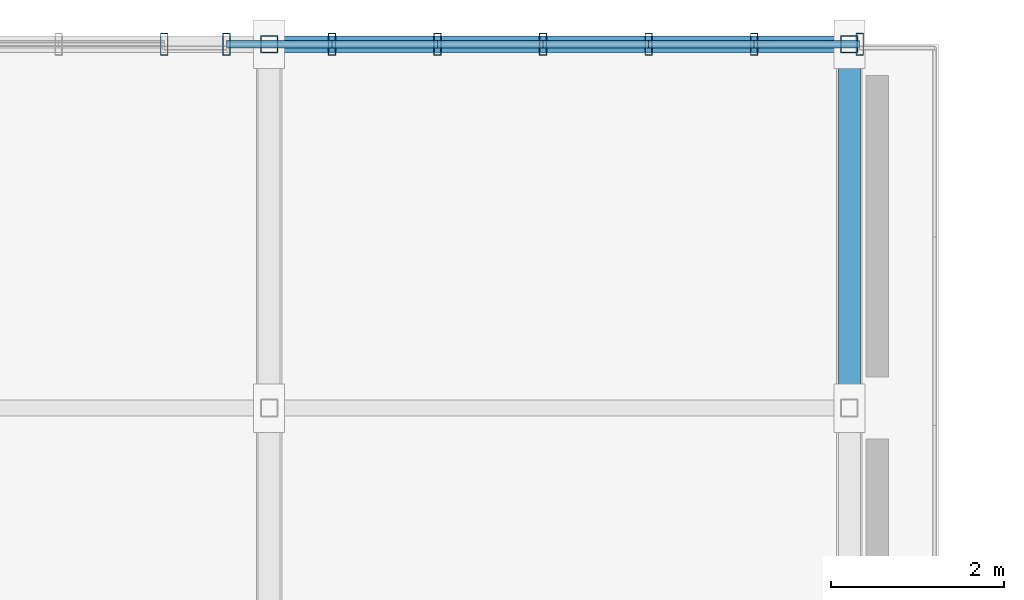
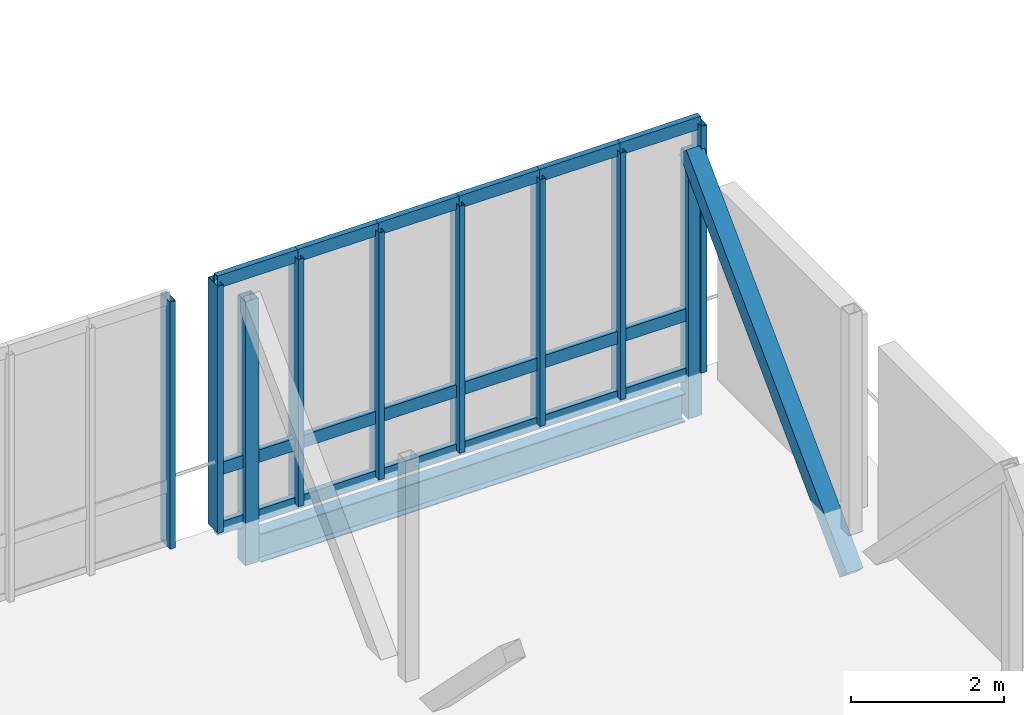
# One storey, part 59 of 107: 29 members, 1 beam, 2 elements without a shape of their own.
"""IFC4 building model written with IfcOpenShell, lengths in metres."""

from ifc_helpers import new_model, si_unit, derived_unit, direction, frame, origin, origin_2d, place, context, subcontext, project, spatial, hollow_rectangle, i_section, extrude, material, layer, layer_set, material_profile, profile_set, type_object, element, aggregate, save


model = new_model("IFC4")

# Units and contexts
model_context = context("Model", 3, precision=1e-05, world=origin(), true_north=direction((0.0, 1.0)))
body_context = subcontext(model_context, "Body", "Model", "MODEL_VIEW")
ifc_project = project(units=[si_unit("LENGTHUNIT", "METRE"), si_unit("AREAUNIT", "SQUARE_METRE"), si_unit("VOLUMEUNIT", "CUBIC_METRE"), si_unit("PLANEANGLEUNIT", "RADIAN"), si_unit("MASSUNIT", "GRAM", prefix="KILO"), derived_unit("THERMALTRANSMITTANCEUNIT", [(si_unit("MASSUNIT", "GRAM", prefix="KILO"), 1), (si_unit("TIMEUNIT", "SECOND"), -3), (si_unit("THERMODYNAMICTEMPERATUREUNIT", "KELVIN"), -1)])], contexts=[model_context])

# Site, building, storey
site_placement = place(None, origin())
site = spatial("IfcSite", under=ifc_project, at=site_placement, CompositionType="ELEMENT")
building_placement = place(site_placement, origin())
building = spatial("IfcBuilding", under=site, at=building_placement, Name="Makaiwela Harbour Ferry Terminal", CompositionType="ELEMENT")
storey_placement = place(building_placement, frame((0.0, 0.0, 9.60009765625)))
storey = spatial("IfcBuildingStorey", under=building, at=storey_placement, Name="L02", CompositionType="ELEMENT", Elevation=9.60009765625)

# Curtain wall, member
ifc_material_1 = material(Name="Marine anodised aluminium 6063-T6", Category="aluminium")
ifc_layer = layer(ifc_material_1, 0.199951171875)
ifc_layer_set = layer_set([ifc_layer], Name="Marine anodised aluminium 6063-T6")
curtain_wall_type = type_object("IfcCurtainWallType", Name="ENV-CW-21", PredefinedType="USERDEFINED", material=ifc_layer_set)
curtain_wall_1_placement = place(storey_placement, origin())
curtain_wall_1 = element("IfcCurtainWall", 1, at=curtain_wall_1_placement, inside=storey, type_object=curtain_wall_type, Name="Unitised Curtain Wall CWA-134", ObjectType="UNITIZED CURTAIN WALL", PredefinedType="USERDEFINED")
ifc_material_profile_1 = material_profile(ifc_material_1, hollow_rectangle(XDim=0.0849609375, YDim=0.25, WallThickness=0.0048828125, at=origin_2d()), Name="CWM-250X85")
ifc_profile_set_1 = profile_set([ifc_material_profile_1], Name="Marine anodised aluminium 6063-T6")
member_type_1 = type_object("IfcMemberType", Name="CW-MUL-250", PredefinedType="MULLION", material=ifc_profile_set_1)
member_1_placement = place(storey_placement, frame((96.239990234375, 116.0, 0.0), z_axis=(0.0, 0.0, 1.0), x_axis=(1.0, 0.0, 0.0)))
member_1 = element("IfcMember", 2, at=member_1_placement, type_object=member_type_1, Name="Curtain Wall Mullion CWA-134-7", PredefinedType="MULLION", context=body_context, shape_type="SweptSolid", body=[
    extrude(hollow_rectangle(XDim=0.0849609375, YDim=0.25, WallThickness=0.0048828125, at=origin_2d()), origin(), (0.0, 0.0, 1.0), 3.949951171875),
])
aggregate(curtain_wall_1, [member_1])

# Curtain wall, members
curtain_wall_2_placement = place(storey_placement, origin())
curtain_wall_2 = element("IfcCurtainWall", 3, at=curtain_wall_2_placement, inside=storey, type_object=curtain_wall_type, Name="Unitised Curtain Wall CWA-135", ObjectType="UNITIZED CURTAIN WALL", PredefinedType="USERDEFINED")
member_2_placement = place(storey_placement, frame((96.9599609375, 116.0, 0.0), z_axis=(0.0, 0.0, 1.0), x_axis=(1.0, 0.0, 0.0)))
member_2 = element("IfcMember", 4, at=member_2_placement, type_object=member_type_1, Name="Curtain Wall Mullion CWA-135-1", PredefinedType="MULLION", context=body_context, shape_type="SweptSolid", body=[
    extrude(hollow_rectangle(XDim=0.0849609375, YDim=0.25, WallThickness=0.0048828125, at=origin_2d()), origin(), (0.0, 0.0, 1.0), 3.949951171875),
])
member_3_placement = place(storey_placement, frame((98.17822265625, 116.0, 0.0), z_axis=(0.0, 0.0, 1.0), x_axis=(1.0, 0.0, 0.0)))
member_3 = element("IfcMember", 5, at=member_3_placement, type_object=member_type_1, Name="Curtain Wall Mullion CWA-135-2", PredefinedType="MULLION", context=body_context, shape_type="SweptSolid", body=[
    extrude(hollow_rectangle(XDim=0.0849609375, YDim=0.25, WallThickness=0.0048828125, at=origin_2d()), origin(), (0.0, 0.0, 1.0), 3.949951171875),
])
member_4_placement = place(storey_placement, frame((99.396728515625, 116.0, 0.0), z_axis=(0.0, 0.0, 1.0), x_axis=(1.0, 0.0, 0.0)))
member_4 = element("IfcMember", 6, at=member_4_placement, type_object=member_type_1, Name="Curtain Wall Mullion CWA-135-3", PredefinedType="MULLION", context=body_context, shape_type="SweptSolid", body=[
    extrude(hollow_rectangle(XDim=0.0849609375, YDim=0.25, WallThickness=0.0048828125, at=origin_2d()), origin(), (0.0, 0.0, 1.0), 3.949951171875),
])
member_5_placement = place(storey_placement, frame((100.614990234375, 116.0, 0.0), z_axis=(0.0, 0.0, 1.0), x_axis=(1.0, 0.0, 0.0)))
member_5 = element("IfcMember", 7, at=member_5_placement, type_object=member_type_1, Name="Curtain Wall Mullion CWA-135-4", PredefinedType="MULLION", context=body_context, shape_type="SweptSolid", body=[
    extrude(hollow_rectangle(XDim=0.0849609375, YDim=0.25, WallThickness=0.0048828125, at=origin_2d()), origin(), (0.0, 0.0, 1.0), 3.949951171875),
])
member_6_placement = place(storey_placement, frame((101.833251953125, 116.0, 0.0), z_axis=(0.0, 0.0, 1.0), x_axis=(1.0, 0.0, 0.0)))
member_6 = element("IfcMember", 8, at=member_6_placement, type_object=member_type_1, Name="Curtain Wall Mullion CWA-135-5", PredefinedType="MULLION", context=body_context, shape_type="SweptSolid", body=[
    extrude(hollow_rectangle(XDim=0.0849609375, YDim=0.25, WallThickness=0.0048828125, at=origin_2d()), origin(), (0.0, 0.0, 1.0), 3.949951171875),
])
member_7_placement = place(storey_placement, frame((103.0517578125, 116.0, 0.0), z_axis=(0.0, 0.0, 1.0), x_axis=(1.0, 0.0, 0.0)))
member_7 = element("IfcMember", 9, at=member_7_placement, type_object=member_type_1, Name="Curtain Wall Mullion CWA-135-6", PredefinedType="MULLION", context=body_context, shape_type="SweptSolid", body=[
    extrude(hollow_rectangle(XDim=0.0849609375, YDim=0.25, WallThickness=0.0048828125, at=origin_2d()), origin(), (0.0, 0.0, 1.0), 3.949951171875),
])
member_8_placement = place(storey_placement, frame((104.27001953125, 116.0, 0.0), z_axis=(0.0, 0.0, 1.0), x_axis=(1.0, 0.0, 0.0)))
member_8 = element("IfcMember", 10, at=member_8_placement, type_object=member_type_1, Name="Curtain Wall Mullion CWA-135-7", PredefinedType="MULLION", context=body_context, shape_type="SweptSolid", body=[
    extrude(hollow_rectangle(XDim=0.0849609375, YDim=0.25, WallThickness=0.0048828125, at=origin_2d()), origin(), (0.0, 0.0, 1.0), 3.949951171875),
])
ifc_material_profile_2 = material_profile(ifc_material_1, hollow_rectangle(XDim=0.0849609375, YDim=0.199951171875, WallThickness=0.0048828125, at=origin_2d()), Name="CWT-200X85")
ifc_profile_set_2 = profile_set([ifc_material_profile_2], Name="Marine anodised aluminium 6063-T6")
member_type_2 = type_object("IfcMemberType", Name="CW-TRN-200", PredefinedType="USERDEFINED", material=ifc_profile_set_2)
member_9_placement = place(storey_placement, frame((96.9599609375, 116.0, 0.0), z_axis=(1.0, 0.0, 0.0), x_axis=(0.0, 1.0, 0.0)))
member_9 = element("IfcMember", 11, at=member_9_placement, type_object=member_type_2, Name="Curtain Wall Transom CWA-135-1-1", ObjectType="TRANSOM", PredefinedType="USERDEFINED", context=body_context, shape_type="SweptSolid", body=[
    extrude(hollow_rectangle(XDim=0.0849609375, YDim=0.199951171875, WallThickness=0.0048828125, at=origin_2d()), origin(), (0.0, 0.0, 1.0), 1.21826171875),
])
member_10_placement = place(storey_placement, frame((96.9599609375, 116.0, 0.949951171875), z_axis=(1.0, 0.0, 0.0), x_axis=(0.0, 1.0, 0.0)))
member_10 = element("IfcMember", 12, at=member_10_placement, type_object=member_type_2, Name="Curtain Wall Transom CWA-135-1-2", ObjectType="TRANSOM", PredefinedType="USERDEFINED", context=body_context, shape_type="SweptSolid", body=[
    extrude(hollow_rectangle(XDim=0.0849609375, YDim=0.199951171875, WallThickness=0.0048828125, at=origin_2d()), origin(), (0.0, 0.0, 1.0), 1.21826171875),
])
member_11_placement = place(storey_placement, frame((96.9599609375, 116.0, 3.949951171875), z_axis=(1.0, 0.0, 0.0), x_axis=(0.0, 1.0, 0.0)))
member_11 = element("IfcMember", 13, at=member_11_placement, type_object=member_type_2, Name="Curtain Wall Transom CWA-135-1-3", ObjectType="TRANSOM", PredefinedType="USERDEFINED", context=body_context, shape_type="SweptSolid", body=[
    extrude(hollow_rectangle(XDim=0.0849609375, YDim=0.199951171875, WallThickness=0.0048828125, at=origin_2d()), origin(), (0.0, 0.0, 1.0), 1.21826171875),
])
member_12_placement = place(storey_placement, frame((98.17822265625, 116.0, 0.0), z_axis=(1.0, 0.0, 0.0), x_axis=(0.0, 1.0, 0.0)))
member_12 = element("IfcMember", 14, at=member_12_placement, type_object=member_type_2, Name="Curtain Wall Transom CWA-135-2-1", ObjectType="TRANSOM", PredefinedType="USERDEFINED", context=body_context, shape_type="SweptSolid", body=[
    extrude(hollow_rectangle(XDim=0.0849609375, YDim=0.199951171875, WallThickness=0.0048828125, at=origin_2d()), origin(), (0.0, 0.0, 1.0), 1.218505859375),
])
member_13_placement = place(storey_placement, frame((98.17822265625, 116.0, 0.949951171875), z_axis=(1.0, 0.0, 0.0), x_axis=(0.0, 1.0, 0.0)))
member_13 = element("IfcMember", 15, at=member_13_placement, type_object=member_type_2, Name="Curtain Wall Transom CWA-135-2-2", ObjectType="TRANSOM", PredefinedType="USERDEFINED", context=body_context, shape_type="SweptSolid", body=[
    extrude(hollow_rectangle(XDim=0.0849609375, YDim=0.199951171875, WallThickness=0.0048828125, at=origin_2d()), origin(), (0.0, 0.0, 1.0), 1.218505859375),
])
member_14_placement = place(storey_placement, frame((98.17822265625, 116.0, 3.949951171875), z_axis=(1.0, 0.0, 0.0), x_axis=(0.0, 1.0, 0.0)))
member_14 = element("IfcMember", 16, at=member_14_placement, type_object=member_type_2, Name="Curtain Wall Transom CWA-135-2-3", ObjectType="TRANSOM", PredefinedType="USERDEFINED", context=body_context, shape_type="SweptSolid", body=[
    extrude(hollow_rectangle(XDim=0.0849609375, YDim=0.199951171875, WallThickness=0.0048828125, at=origin_2d()), origin(), (0.0, 0.0, 1.0), 1.218505859375),
])
member_15_placement = place(storey_placement, frame((99.396728515625, 116.0, 0.0), z_axis=(1.0, 0.0, 0.0), x_axis=(0.0, 1.0, 0.0)))
member_15 = element("IfcMember", 17, at=member_15_placement, type_object=member_type_2, Name="Curtain Wall Transom CWA-135-3-1", ObjectType="TRANSOM", PredefinedType="USERDEFINED", context=body_context, shape_type="SweptSolid", body=[
    extrude(hollow_rectangle(XDim=0.0849609375, YDim=0.199951171875, WallThickness=0.0048828125, at=origin_2d()), origin(), (0.0, 0.0, 1.0), 1.21826171875),
])
member_16_placement = place(storey_placement, frame((99.396728515625, 116.0, 0.949951171875), z_axis=(1.0, 0.0, 0.0), x_axis=(0.0, 1.0, 0.0)))
member_16 = element("IfcMember", 18, at=member_16_placement, type_object=member_type_2, Name="Curtain Wall Transom CWA-135-3-2", ObjectType="TRANSOM", PredefinedType="USERDEFINED", context=body_context, shape_type="SweptSolid", body=[
    extrude(hollow_rectangle(XDim=0.0849609375, YDim=0.199951171875, WallThickness=0.0048828125, at=origin_2d()), origin(), (0.0, 0.0, 1.0), 1.21826171875),
])
member_17_placement = place(storey_placement, frame((99.396728515625, 116.0, 3.949951171875), z_axis=(1.0, 0.0, 0.0), x_axis=(0.0, 1.0, 0.0)))
member_17 = element("IfcMember", 19, at=member_17_placement, type_object=member_type_2, Name="Curtain Wall Transom CWA-135-3-3", ObjectType="TRANSOM", PredefinedType="USERDEFINED", context=body_context, shape_type="SweptSolid", body=[
    extrude(hollow_rectangle(XDim=0.0849609375, YDim=0.199951171875, WallThickness=0.0048828125, at=origin_2d()), origin(), (0.0, 0.0, 1.0), 1.21826171875),
])
member_18_placement = place(storey_placement, frame((100.614990234375, 116.0, 0.0), z_axis=(1.0, 0.0, 0.0), x_axis=(0.0, 1.0, 0.0)))
member_18 = element("IfcMember", 20, at=member_18_placement, type_object=member_type_2, Name="Curtain Wall Transom CWA-135-4-1", ObjectType="TRANSOM", PredefinedType="USERDEFINED", context=body_context, shape_type="SweptSolid", body=[
    extrude(hollow_rectangle(XDim=0.0849609375, YDim=0.199951171875, WallThickness=0.0048828125, at=origin_2d()), origin(), (0.0, 0.0, 1.0), 1.21826171875),
])
member_19_placement = place(storey_placement, frame((100.614990234375, 116.0, 0.949951171875), z_axis=(1.0, 0.0, 0.0), x_axis=(0.0, 1.0, 0.0)))
member_19 = element("IfcMember", 21, at=member_19_placement, type_object=member_type_2, Name="Curtain Wall Transom CWA-135-4-2", ObjectType="TRANSOM", PredefinedType="USERDEFINED", context=body_context, shape_type="SweptSolid", body=[
    extrude(hollow_rectangle(XDim=0.0849609375, YDim=0.199951171875, WallThickness=0.0048828125, at=origin_2d()), origin(), (0.0, 0.0, 1.0), 1.21826171875),
])
member_20_placement = place(storey_placement, frame((100.614990234375, 116.0, 3.949951171875), z_axis=(1.0, 0.0, 0.0), x_axis=(0.0, 1.0, 0.0)))
member_20 = element("IfcMember", 22, at=member_20_placement, type_object=member_type_2, Name="Curtain Wall Transom CWA-135-4-3", ObjectType="TRANSOM", PredefinedType="USERDEFINED", context=body_context, shape_type="SweptSolid", body=[
    extrude(hollow_rectangle(XDim=0.0849609375, YDim=0.199951171875, WallThickness=0.0048828125, at=origin_2d()), origin(), (0.0, 0.0, 1.0), 1.21826171875),
])
member_21_placement = place(storey_placement, frame((101.833251953125, 116.0, 0.0), z_axis=(1.0, 0.0, 0.0), x_axis=(0.0, 1.0, 0.0)))
member_21 = element("IfcMember", 23, at=member_21_placement, type_object=member_type_2, Name="Curtain Wall Transom CWA-135-5-1", ObjectType="TRANSOM", PredefinedType="USERDEFINED", context=body_context, shape_type="SweptSolid", body=[
    extrude(hollow_rectangle(XDim=0.0849609375, YDim=0.199951171875, WallThickness=0.0048828125, at=origin_2d()), origin(), (0.0, 0.0, 1.0), 1.218505859375),
])
member_22_placement = place(storey_placement, frame((101.833251953125, 116.0, 0.949951171875), z_axis=(1.0, 0.0, 0.0), x_axis=(0.0, 1.0, 0.0)))
member_22 = element("IfcMember", 24, at=member_22_placement, type_object=member_type_2, Name="Curtain Wall Transom CWA-135-5-2", ObjectType="TRANSOM", PredefinedType="USERDEFINED", context=body_context, shape_type="SweptSolid", body=[
    extrude(hollow_rectangle(XDim=0.0849609375, YDim=0.199951171875, WallThickness=0.0048828125, at=origin_2d()), origin(), (0.0, 0.0, 1.0), 1.218505859375),
])
member_23_placement = place(storey_placement, frame((101.833251953125, 116.0, 3.949951171875), z_axis=(1.0, 0.0, 0.0), x_axis=(0.0, 1.0, 0.0)))
member_23 = element("IfcMember", 25, at=member_23_placement, type_object=member_type_2, Name="Curtain Wall Transom CWA-135-5-3", ObjectType="TRANSOM", PredefinedType="USERDEFINED", context=body_context, shape_type="SweptSolid", body=[
    extrude(hollow_rectangle(XDim=0.0849609375, YDim=0.199951171875, WallThickness=0.0048828125, at=origin_2d()), origin(), (0.0, 0.0, 1.0), 1.218505859375),
])
member_24_placement = place(storey_placement, frame((103.0517578125, 116.0, 0.0), z_axis=(1.0, 0.0, 0.0), x_axis=(0.0, 1.0, 0.0)))
member_24 = element("IfcMember", 26, at=member_24_placement, type_object=member_type_2, Name="Curtain Wall Transom CWA-135-6-1", ObjectType="TRANSOM", PredefinedType="USERDEFINED", context=body_context, shape_type="SweptSolid", body=[
    extrude(hollow_rectangle(XDim=0.0849609375, YDim=0.199951171875, WallThickness=0.0048828125, at=origin_2d()), origin(), (0.0, 0.0, 1.0), 1.21826171875),
])
member_25_placement = place(storey_placement, frame((103.0517578125, 116.0, 0.949951171875), z_axis=(1.0, 0.0, 0.0), x_axis=(0.0, 1.0, 0.0)))
member_25 = element("IfcMember", 27, at=member_25_placement, type_object=member_type_2, Name="Curtain Wall Transom CWA-135-6-2", ObjectType="TRANSOM", PredefinedType="USERDEFINED", context=body_context, shape_type="SweptSolid", body=[
    extrude(hollow_rectangle(XDim=0.0849609375, YDim=0.199951171875, WallThickness=0.0048828125, at=origin_2d()), origin(), (0.0, 0.0, 1.0), 1.21826171875),
])
member_26_placement = place(storey_placement, frame((103.0517578125, 116.0, 3.949951171875), z_axis=(1.0, 0.0, 0.0), x_axis=(0.0, 1.0, 0.0)))
member_26 = element("IfcMember", 28, at=member_26_placement, type_object=member_type_2, Name="Curtain Wall Transom CWA-135-6-3", ObjectType="TRANSOM", PredefinedType="USERDEFINED", context=body_context, shape_type="SweptSolid", body=[
    extrude(hollow_rectangle(XDim=0.0849609375, YDim=0.199951171875, WallThickness=0.0048828125, at=origin_2d()), origin(), (0.0, 0.0, 1.0), 1.21826171875),
])
aggregate(curtain_wall_2, [member_2, member_3, member_4, member_5, member_6, member_7, member_8, member_9, member_10, member_11, member_12, member_13, member_14, member_15, member_16, member_17, member_18, member_19, member_20, member_21, member_22, member_23, member_24, member_25, member_26])

# Member
ifc_material_2 = material(Name="Steel ASTM A500 Grade C", Category="steel")
ifc_material_profile_3 = material_profile(ifc_material_2, hollow_rectangle(XDim=0.25390625, YDim=0.25390625, WallThickness=0.0146484375, at=origin_2d()), Name="HSS10X10X5/8")
ifc_profile_set_3 = profile_set([ifc_material_profile_3], Name="Steel ASTM A500 Grade C")
member_type_3 = type_object("IfcMemberType", Name="STR-BRC-HSS10", PredefinedType="BRACE", material=ifc_profile_set_3)
member_27_placement = place(storey_placement, frame((104.14990234375, 111.800048828125, -0.685546875), z_axis=(0.0, 0.705423542875, 0.708786022124), x_axis=(-1.0, 0.0, 0.0)))
element("IfcMember", 29, at=member_27_placement, inside=storey, type_object=member_type_3, Name="Structural Member BR-01", PredefinedType="BRACE", context=body_context, shape_type="SweptSolid", body=[
    extrude(hollow_rectangle(XDim=0.25390625, YDim=0.25390625, WallThickness=0.0146484375, at=origin_2d()), origin(), (0.0, 0.0, 1.0), 5.953857421875),
])

# Beam
ifc_material_3 = material(Name="Steel ASTM A992 Grade 50", Category="steel")
ifc_material_profile_4 = material_profile(ifc_material_3, i_section(OverallWidth=0.18994140625, OverallDepth=0.45703125, WebThickness=0.009033203125, FlangeThickness=0.014404296875, at=origin_2d()), Name="W18X50")
ifc_profile_set_4 = profile_set([ifc_material_profile_4], Name="Steel ASTM A992 Grade 50")
beam_type = type_object("IfcBeamType", Name="STR-JST-W18X50", PredefinedType="JOIST", material=ifc_profile_set_4)
beam_placement = place(storey_placement, frame((97.591064453125, 116.0, -0.488525390625), z_axis=(1.0, 0.0, 0.0), x_axis=(0.0, 1.0, 0.0)))
element("IfcBeam", 30, at=beam_placement, inside=storey, type_object=beam_type, Name="Structural Beam J-01", PredefinedType="JOIST", context=body_context, shape_type="SweptSolid", body=[
    extrude(i_section(OverallWidth=0.18994140625, OverallDepth=0.45703125, WebThickness=0.009033203125, FlangeThickness=0.014404296875, at=origin_2d()), origin(), (0.0, 0.0, 1.0), 6.41796875),
])

# Members
ifc_material_profile_5 = material_profile(ifc_material_2, hollow_rectangle(XDim=0.202880859375, YDim=0.202880859375, WallThickness=0.01171875, at=origin_2d()), Name="HSS8X8X1/2")
ifc_profile_set_5 = profile_set([ifc_material_profile_5], Name="Steel ASTM A500 Grade C")
member_type_4 = type_object("IfcMemberType", Name="STR-PST-HSS8", PredefinedType="POST", material=ifc_profile_set_5)
for number, where, z_axis, x_axis, name in (
    (31, (97.449951171875, 116.0, -0.685546875), (0.0, 0.0, 1.0), (1.0, 0.0, 0.0), "Structural Member PS-01"),
    (32, (104.14990234375, 116.0, -0.685546875), (0.0, 0.0, 1.0), (1.0, 0.0, 0.0), "Structural Member PS-01"),
):
    element("IfcMember", number, at=place(storey_placement, frame(where, z_axis=z_axis, x_axis=x_axis)), inside=storey, type_object=member_type_4, Name=name, PredefinedType="POST", context=body_context, shape_type="SweptSolid", body=[
        extrude(hollow_rectangle(XDim=0.202880859375, YDim=0.202880859375, WallThickness=0.01171875, at=origin_2d()), origin(), (0.0, 0.0, 1.0), 4.219970703125),
    ])

save(model, "model.ifc")
